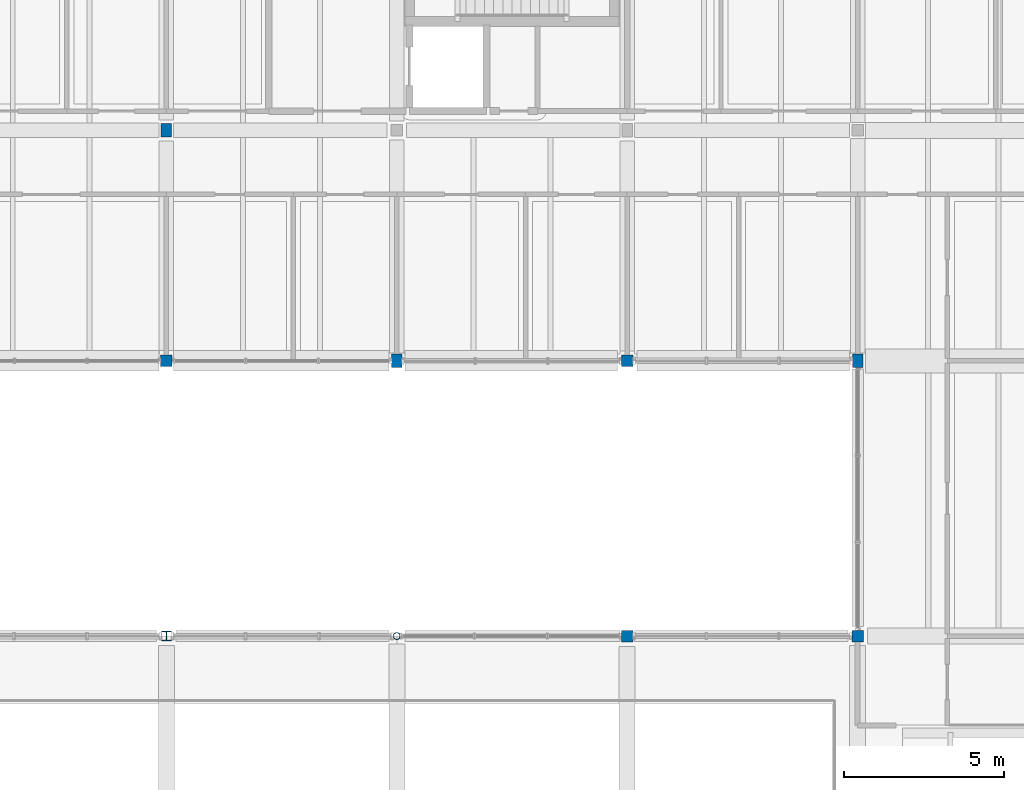
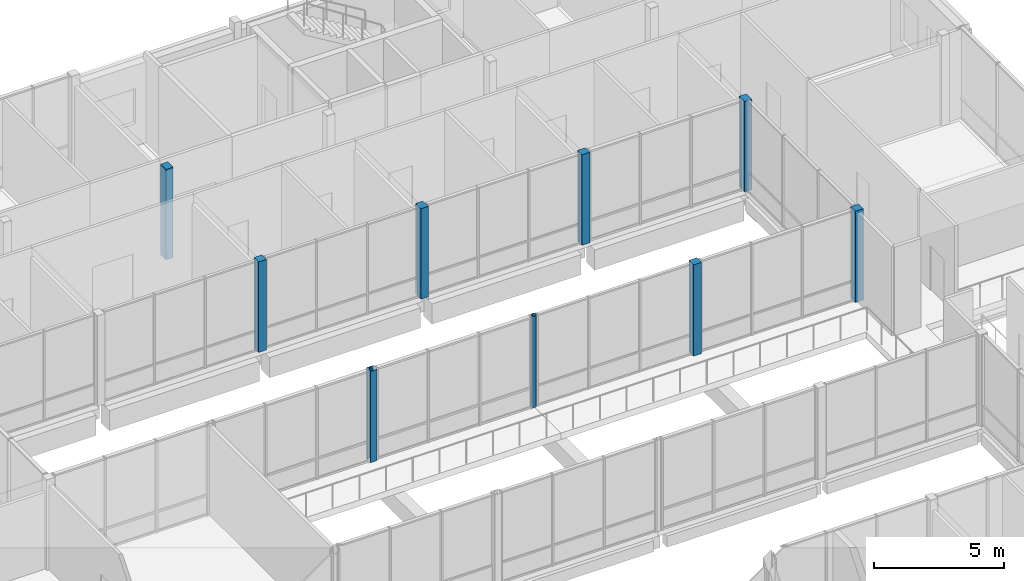
# One storey, part 8 of 146: 9 columns.
"""IFC4 building model written with IfcOpenShell, lengths in metres."""

from ifc_helpers import new_model, si_unit, direction, frame, origin, origin_2d, place, context, subcontext, project, spatial, rectangle, hollow_circle, i_section, extrude, material, material_profile, profile_set, type_object, element, save


model = new_model("IFC4")

# Units and contexts
model_context = context("Model", 3, precision=1e-05, world=origin(), true_north=direction((0.0, 1.0)))
body_context = subcontext(model_context, "Body", "Model", "MODEL_VIEW")
ifc_project = project(units=[si_unit("LENGTHUNIT", "METRE"), si_unit("AREAUNIT", "SQUARE_METRE"), si_unit("VOLUMEUNIT", "CUBIC_METRE"), si_unit("PLANEANGLEUNIT", "RADIAN"), si_unit("MASSUNIT", "GRAM", prefix="KILO")], contexts=[model_context])

# Site, building, storey
site_placement = place(None, origin())
site = spatial("IfcSite", under=ifc_project, at=site_placement, CompositionType="ELEMENT")
building_placement = place(site_placement, origin())
building = spatial("IfcBuilding", under=site, at=building_placement, Name="Hawrajan Terrace Health Centre", CompositionType="ELEMENT")
storey_placement = place(building_placement, frame((0.0, 0.0, 4.5)))
storey = spatial("IfcBuildingStorey", under=building, at=storey_placement, Name="L01", CompositionType="ELEMENT", Elevation=4.5)

# Columns
ifc_material_1 = material(Name="Glulam GL32h", Category="wood")
ifc_material_profile_1 = material_profile(ifc_material_1, rectangle(XDim=0.320068359375, YDim=0.419921875, at=origin_2d()), Name="GL 320x420")
ifc_profile_set_1 = profile_set([ifc_material_profile_1], Name="Glulam GL32h")
column_type_1 = type_object("IfcColumnType", Name="GlulamCol_320x420", PredefinedType="COLUMN", material=ifc_profile_set_1)
for number, where, z_axis, x_axis, name in (
    (1, (40.60009765625, 52.60009765625, 0.0), (0.0, 0.0, 1.0), (1.0, 0.0, 0.0), "Column COL-L01-W-X06-Y7"),
    (2, (47.800048828125, 45.39990234375, 0.0), (0.0, 0.0, 1.0), (1.0, 0.0, 0.0), "Column COL-L01-W-X07-Y6"),
    (3, (62.199951171875, 45.39990234375, 0.0), (0.0, 0.0, 1.0), (1.0, 0.0, 0.0), "Column COL-L01-W-X09-Y6"),
):
    element("IfcColumn", number, at=place(storey_placement, frame(where, z_axis=z_axis, x_axis=x_axis)), inside=storey, type_object=column_type_1, Name=name, PredefinedType="COLUMN", context=body_context, shape_type="SweptSolid", body=[
        extrude(rectangle(XDim=0.320068359375, YDim=0.419921875, at=origin_2d()), origin(), (0.0, 0.0, 1.0), 4.260009765625),
    ])
ifc_material_profile_2 = material_profile(ifc_material_1, rectangle(XDim=0.360107421875, YDim=0.360107421875, at=origin_2d()), Name="GL 360x360")
ifc_profile_set_2 = profile_set([ifc_material_profile_2], Name="Glulam GL32h")
column_type_2 = type_object("IfcColumnType", Name="GlulamCol_360x360", PredefinedType="COLUMN", material=ifc_profile_set_2)
column_1_placement = place(storey_placement, frame((40.60009765625, 45.39990234375, 0.0), z_axis=(0.0, 0.0, 1.0), x_axis=(1.0, 0.0, 0.0)))
element("IfcColumn", 4, at=column_1_placement, inside=storey, type_object=column_type_2, Name="Column COL-L01-W-X06-Y6", PredefinedType="COLUMN", context=body_context, shape_type="SweptSolid", body=[
    extrude(rectangle(XDim=0.360107421875, YDim=0.360107421875, at=origin_2d()), origin(), (0.0, 0.0, 1.0), 4.260009765625),
])
column_2_placement = place(storey_placement, frame((55.0, 36.800048828125, 0.0), z_axis=(0.0, 0.0, 1.0), x_axis=(1.0, 0.0, 0.0)))
element("IfcColumn", 5, at=column_2_placement, inside=storey, type_object=column_type_2, Name="Column COL-L01-W-X08-Y5", PredefinedType="COLUMN", context=body_context, shape_type="SweptSolid", body=[
    extrude(rectangle(XDim=0.360107421875, YDim=0.360107421875, at=origin_2d()), origin(), (0.0, 0.0, 1.0), 4.300048828125),
])
column_3_placement = place(storey_placement, frame((55.0, 45.39990234375, 0.0), z_axis=(0.0, 0.0, 1.0), x_axis=(1.0, 0.0, 0.0)))
element("IfcColumn", 6, at=column_3_placement, inside=storey, type_object=column_type_2, Name="Column COL-L01-W-X08-Y6", PredefinedType="COLUMN", context=body_context, shape_type="SweptSolid", body=[
    extrude(rectangle(XDim=0.360107421875, YDim=0.360107421875, at=origin_2d()), origin(), (0.0, 0.0, 1.0), 4.260009765625),
])
column_4_placement = place(storey_placement, frame((62.199951171875, 36.800048828125, 0.0), z_axis=(0.0, 0.0, 1.0), x_axis=(1.0, 0.0, 0.0)))
element("IfcColumn", 7, at=column_4_placement, inside=storey, type_object=column_type_2, Name="Column COL-L01-W-X09-Y5", PredefinedType="COLUMN", context=body_context, shape_type="SweptSolid", body=[
    extrude(rectangle(XDim=0.360107421875, YDim=0.360107421875, at=origin_2d()), origin(), (0.0, 0.0, 1.0), 4.300048828125),
])
ifc_material_2 = material(Name="Steel S355", Category="steel")
ifc_material_profile_3 = material_profile(ifc_material_2, hollow_circle(Radius=0.109619140625, WallThickness=0.010009765625, at=origin_2d()), Name="CHS 219.1x10.0")
ifc_profile_set_3 = profile_set([ifc_material_profile_3], Name="Steel S355")
column_type_3 = type_object("IfcColumnType", Name="SteelCol_CHS219", PredefinedType="COLUMN", material=ifc_profile_set_3)
column_5_placement = place(storey_placement, frame((47.800048828125, 36.800048828125, 0.0), z_axis=(0.0, 0.0, 1.0), x_axis=(1.0, 0.0, 0.0)))
element("IfcColumn", 8, at=column_5_placement, inside=storey, type_object=column_type_3, Name="Column COL-L01-W-X07-Y5", PredefinedType="COLUMN", context=body_context, shape_type="SweptSolid", body=[
    extrude(hollow_circle(Radius=0.109619140625, WallThickness=0.010009765625, at=origin_2d()), origin(), (0.0, 0.0, 1.0), 4.300048828125),
])
ifc_material_profile_4 = material_profile(ifc_material_2, i_section(OverallWidth=0.300048828125, OverallDepth=0.300048828125, WebThickness=0.010986328125, FlangeThickness=0.01904296875, FilletRadius=0.027099609375, at=origin_2d()), Name="HEB 300")
ifc_profile_set_4 = profile_set([ifc_material_profile_4], Name="Steel S355")
column_type_4 = type_object("IfcColumnType", Name="SteelCol_HEB300", PredefinedType="COLUMN", material=ifc_profile_set_4)
column_6_placement = place(storey_placement, frame((40.60009765625, 36.800048828125, 0.0), z_axis=(0.0, 0.0, 1.0), x_axis=(1.0, 0.0, 0.0)))
element("IfcColumn", 9, at=column_6_placement, inside=storey, type_object=column_type_4, Name="Column COL-L01-W-X06-Y5", PredefinedType="COLUMN", context=body_context, shape_type="SweptSolid", body=[
    extrude(i_section(OverallWidth=0.300048828125, OverallDepth=0.300048828125, WebThickness=0.010986328125, FlangeThickness=0.01904296875, FilletRadius=0.027099609375, at=origin_2d()), origin(), (0.0, 0.0, 1.0), 4.300048828125),
])

save(model, "model.ifc")
